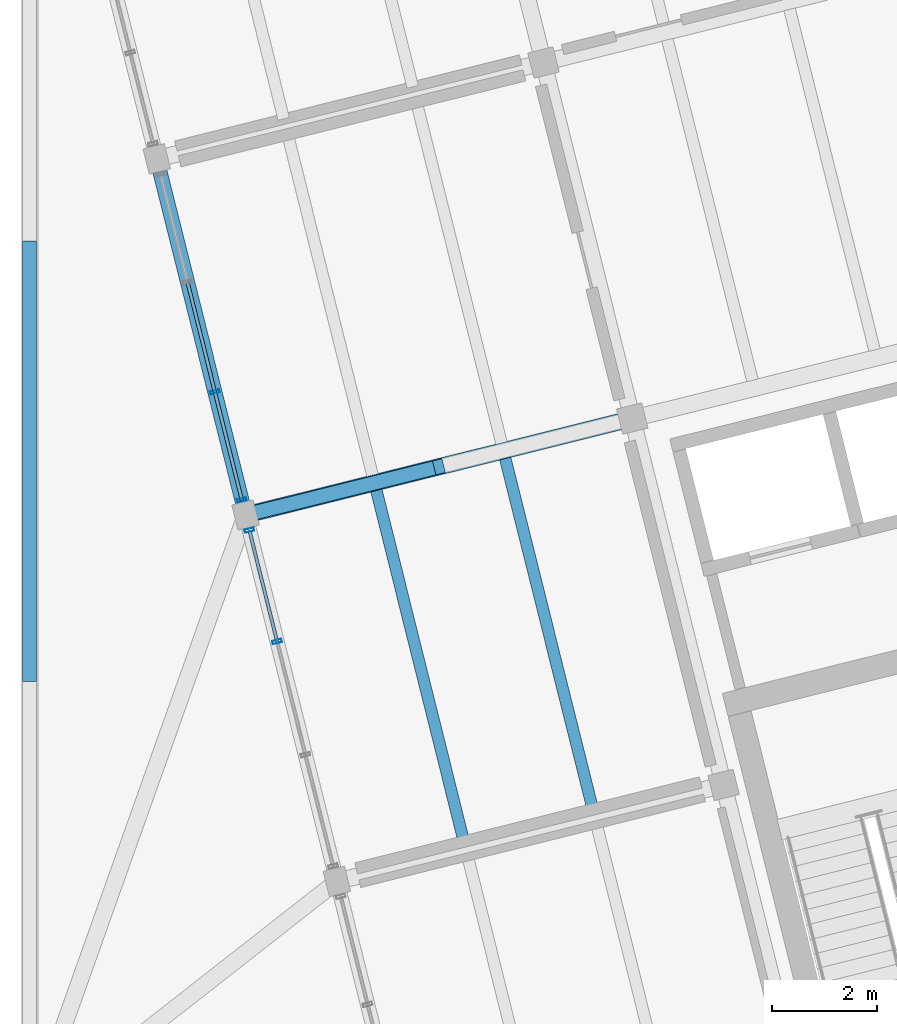
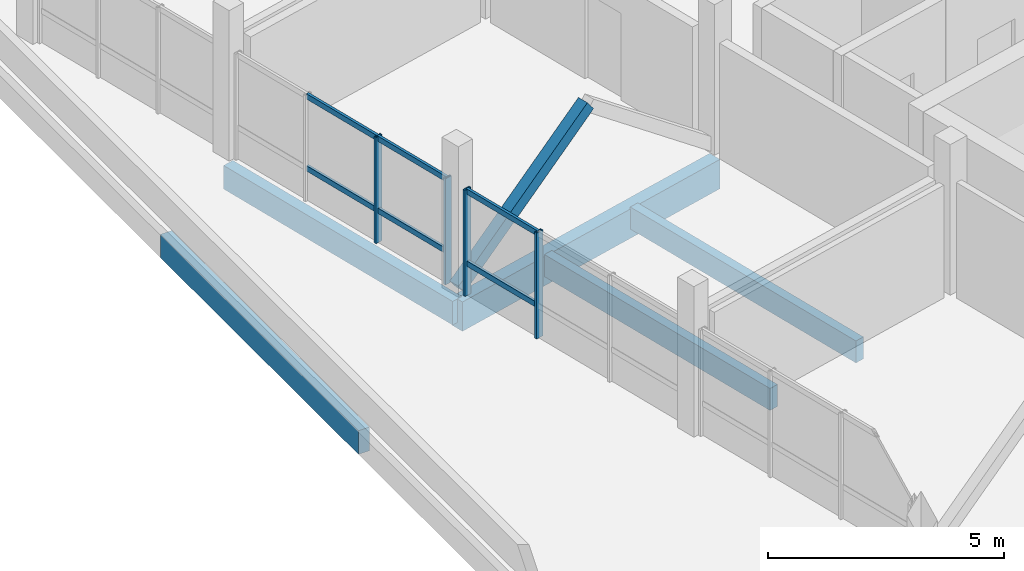
# One storey, part 8 of 37: 11 members, 5 beams, 2 elements without a shape of their own.
"""IFC4 building model written with IfcOpenShell, lengths in metres."""

from ifc_helpers import new_model, si_unit, direction, frame, origin, origin_2d, place, context, subcontext, project, spatial, rectangle, hollow_rectangle, extrude, material, layer, layer_set, material_profile, profile_set, type_object, element, aggregate, save


model = new_model("IFC4")

# Units and contexts
model_context = context("Model", 3, precision=1e-05, world=origin(), true_north=direction((0.0, 1.0)))
body_context = subcontext(model_context, "Body", "Model", "MODEL_VIEW")
ifc_project = project(units=[si_unit("LENGTHUNIT", "METRE"), si_unit("AREAUNIT", "SQUARE_METRE"), si_unit("VOLUMEUNIT", "CUBIC_METRE"), si_unit("PLANEANGLEUNIT", "RADIAN"), si_unit("MASSUNIT", "GRAM", prefix="KILO")], contexts=[model_context])

# Site, building, storey
site_placement = place(None, origin())
site = spatial("IfcSite", under=ifc_project, at=site_placement, CompositionType="ELEMENT")
building_placement = place(site_placement, origin())
building = spatial("IfcBuilding", under=site, at=building_placement, Name="Meriwether Solvik Hall", CompositionType="ELEMENT")
storey_placement = place(building_placement, frame((0.0, 0.0, 26.10009765625)))
storey = spatial("IfcBuildingStorey", under=building, at=storey_placement, Name="L06", CompositionType="ELEMENT", Elevation=26.10009765625)

# Beams
ifc_material_1 = material(Name="Glulam Douglas-Fir 24F-V8 GL28h", Category="wood")
ifc_material_profile_1 = material_profile(ifc_material_1, rectangle(XDim=0.27294921875, YDim=0.610107421875, at=origin_2d()), Name="GLB-273X610")
ifc_profile_set_1 = profile_set([ifc_material_profile_1], Name="Glulam Douglas-Fir 24F-V8 GL28h")
beam_type_1 = type_object("IfcBeamType", Name="BM-GL-273X610", PredefinedType="SPANDREL", material=ifc_profile_set_1)
beam_1_placement = place(storey_placement, frame((59.39990234375, 58.39990234375, -0.5751953125), z_axis=(0.0, 1.0, 0.0), x_axis=(-1.0, 0.0, 0.0)))
element("IfcBeam", 1, at=beam_1_placement, inside=storey, type_object=beam_type_1, Name="Podium Girder 7:G-H (L06)", PredefinedType="SPANDREL", context=body_context, shape_type="SweptSolid", body=[
    extrude(rectangle(XDim=0.27294921875, YDim=0.610107421875, at=origin_2d()), origin(), (0.0, 0.0, 1.0), 8.400146484375),
])
beam_2_placement = place(storey_placement, frame((63.51953125, 61.576171875, -0.5751953125), z_axis=(-0.241911879182, 0.970298223594, 0.0), x_axis=(-0.970298223594, -0.241911879182, 0.0)))
element("IfcBeam", 2, at=beam_2_placement, inside=storey, type_object=beam_type_1, Name="Tower Girder T1:TD-TE (L06)", PredefinedType="SPANDREL", context=body_context, shape_type="SweptSolid", body=[
    extrude(rectangle(XDim=0.27294921875, YDim=0.610107421875, at=origin_2d()), origin(), (0.0, 0.0, 1.0), 7.0),
])
ifc_material_2 = material(Name="Glulam Douglas-Fir 24F-V8 GL28h", Category="wood")
ifc_material_profile_2 = material_profile(ifc_material_2, rectangle(XDim=0.31494140625, YDim=0.760009765625, at=origin_2d()), Name="GLB-315X760")
ifc_profile_set_2 = profile_set([ifc_material_profile_2], Name="Glulam Douglas-Fir 24F-V8 GL28h")
beam_type_2 = type_object("IfcBeamType", Name="BM-GL-315X760", PredefinedType="BEAM", material=ifc_profile_set_2)
beam_3_placement = place(storey_placement, frame((63.51953125, 61.576171875, -0.650146484375), z_axis=(0.970295366785, 0.241923337436, 0.0), x_axis=(-0.241923337436, 0.970295366785, 0.0)))
element("IfcBeam", 3, at=beam_3_placement, inside=storey, type_object=beam_type_2, Name="Tower Girder TD:T1-T2 (L06)", PredefinedType="BEAM", context=body_context, shape_type="SweptSolid", body=[
    extrude(rectangle(XDim=0.31494140625, YDim=0.760009765625, at=origin_2d()), origin(), (0.0, 0.0, 1.0), 7.60009765625),
])

# Curtain wall, members
ifc_material_3 = material(Name="Thermally Broken Anodised Aluminium 6063-T6 and Low-E Glass", Category="aluminium")
ifc_layer_1 = layer(ifc_material_3, 0.179931640625)
ifc_layer_set_1 = layer_set([ifc_layer_1], Name="Thermally Broken Anodised Aluminium 6063-T6 and Low-E Glass")
curtain_wall_type_1 = type_object("IfcCurtainWallType", Name="CW-UNIT-D", PredefinedType="USERDEFINED", material=ifc_layer_set_1)
curtain_wall_1_placement = place(storey_placement, origin())
curtain_wall_1 = element("IfcCurtainWall", 4, at=curtain_wall_1_placement, inside=storey, type_object=curtain_wall_type_1, Name="Curtain Wall E5_B2 (L06)", ObjectType="UNITISED CURTAIN WALL", PredefinedType="USERDEFINED")
ifc_material_4 = material(Name="Anodised Aluminium 6063-T6", Category="aluminium")
ifc_material_profile_3 = material_profile(ifc_material_4, hollow_rectangle(XDim=0.06494140625, YDim=0.179931640625, WallThickness=0.00439453125, at=origin_2d()), Name="CWM-65X180")
ifc_profile_set_3 = profile_set([ifc_material_profile_3], Name="Anodised Aluminium 6063-T6")
member_type_1 = type_object("IfcMemberType", Name="CW-MUL-65X180", PredefinedType="MULLION", material=ifc_profile_set_3)
member_1_placement = place(storey_placement, frame((64.12109375, 59.16357421875, 0.0), z_axis=(0.0, 0.0, 1.0), x_axis=(-0.241921860714, 0.970295734974, 0.0)))
member_1 = element("IfcMember", 5, at=member_1_placement, type_object=member_type_1, Name="Curtain Wall Mullion 3", PredefinedType="MULLION", context=body_context, shape_type="SweptSolid", body=[
    extrude(hollow_rectangle(XDim=0.06494140625, YDim=0.179931640625, WallThickness=0.00439453125, at=origin_2d()), origin(), (0.0, 0.0, 1.0), 2.75),
])
member_2_placement = place(storey_placement, frame((63.591552734375, 61.28759765625, 0.0), z_axis=(0.0, 0.0, 1.0), x_axis=(-0.241921860714, 0.970295734974, 0.0)))
member_2 = element("IfcMember", 6, at=member_2_placement, type_object=member_type_1, Name="Curtain Wall Mullion 4", PredefinedType="MULLION", context=body_context, shape_type="SweptSolid", body=[
    extrude(hollow_rectangle(XDim=0.06494140625, YDim=0.179931640625, WallThickness=0.00439453125, at=origin_2d()), origin(), (0.0, 0.0, 1.0), 2.75),
])

ifc_material_5 = material(Name="Thermally Broken Anodised Aluminium 6063-T6 and Low-E Glass", Category="aluminium")
ifc_layer_2 = layer(ifc_material_5, 0.179931640625)
ifc_layer_set_2 = layer_set([ifc_layer_2], Name="Thermally Broken Anodised Aluminium 6063-T6 and Low-E Glass")
curtain_wall_type_2 = type_object("IfcCurtainWallType", Name="CW-UNIT-E", PredefinedType="USERDEFINED", material=ifc_layer_set_2)
curtain_wall_2_placement = place(storey_placement, origin())
curtain_wall_2 = element("IfcCurtainWall", 7, at=curtain_wall_2_placement, inside=storey, type_object=curtain_wall_type_2, Name="Curtain Wall E5_B3 (L06)", ObjectType="UNITISED CURTAIN WALL", PredefinedType="USERDEFINED")
member_3_placement = place(storey_placement, frame((63.44775390625, 61.864990234375, 0.0), z_axis=(0.0, 0.0, 1.0), x_axis=(-0.241921764185, 0.970295759041, 0.0)))
member_3 = element("IfcMember", 8, at=member_3_placement, type_object=member_type_1, Name="Curtain Wall Mullion 1", PredefinedType="MULLION", context=body_context, shape_type="SweptSolid", body=[
    extrude(hollow_rectangle(XDim=0.06494140625, YDim=0.179931640625, WallThickness=0.00439453125, at=origin_2d()), origin(), (0.0, 0.0, 1.0), 2.75),
])
member_4_placement = place(storey_placement, frame((62.934326171875, 63.924072265625, 0.0), z_axis=(0.0, 0.0, 1.0), x_axis=(-0.241921764185, 0.970295759041, 0.0)))
member_4 = element("IfcMember", 9, at=member_4_placement, type_object=member_type_1, Name="Curtain Wall Mullion 2", PredefinedType="MULLION", context=body_context, shape_type="SweptSolid", body=[
    extrude(hollow_rectangle(XDim=0.06494140625, YDim=0.179931640625, WallThickness=0.00439453125, at=origin_2d()), origin(), (0.0, 0.0, 1.0), 2.75),
])

# Member
ifc_material_6 = material(Name="Anodised Aluminium 6063-T6", Category="aluminium")
ifc_material_profile_4 = material_profile(ifc_material_6, hollow_rectangle(XDim=0.06494140625, YDim=0.139892578125, WallThickness=0.00439453125, at=origin_2d()), Name="CWT-65X140")
ifc_profile_set_4 = profile_set([ifc_material_profile_4], Name="Anodised Aluminium 6063-T6")
member_type_2 = type_object("IfcMemberType", Name="CW-TRN-65X140", PredefinedType="USERDEFINED", material=ifc_profile_set_4)
member_5_placement = place(storey_placement, frame((64.12109375, 59.16357421875, 0.824951171875), z_axis=(-0.241905764761, 0.970299748003, 0.0), x_axis=(-0.970299748003, -0.241905764761, 0.0)))
member_5 = element("IfcMember", 10, at=member_5_placement, type_object=member_type_2, Name="Curtain Wall Transom 3-sill", ObjectType="TRANSOM", PredefinedType="USERDEFINED", context=body_context, shape_type="SweptSolid", body=[
    extrude(hollow_rectangle(XDim=0.06494140625, YDim=0.139892578125, WallThickness=0.00439453125, at=origin_2d()), origin(), (0.0, 0.0, 1.0), 2.18896484375),
])

member_6_placement = place(storey_placement, frame((64.12109375, 59.16357421875, 2.68994140625), z_axis=(-0.241905764761, 0.970299748003, 0.0), x_axis=(-0.970299748003, -0.241905764761, 0.0)))
member_6 = element("IfcMember", 11, at=member_6_placement, type_object=member_type_2, Name="Curtain Wall Transom 3-head", ObjectType="TRANSOM", PredefinedType="USERDEFINED", context=body_context, shape_type="SweptSolid", body=[
    extrude(hollow_rectangle(XDim=0.06494140625, YDim=0.139892578125, WallThickness=0.00439453125, at=origin_2d()), origin(), (0.0, 0.0, 1.0), 2.18896484375),
])

aggregate(curtain_wall_1, [member_1, member_2, member_5, member_6])

member_7_placement = place(storey_placement, frame((63.44775390625, 61.864990234375, 0.824951171875), z_axis=(-0.241940051257, 0.970291199382, 0.0), x_axis=(-0.970291199382, -0.241940051257, 0.0)))
member_7 = element("IfcMember", 12, at=member_7_placement, type_object=member_type_2, Name="Curtain Wall Transom 1-sill", ObjectType="TRANSOM", PredefinedType="USERDEFINED", context=body_context, shape_type="SweptSolid", body=[
    extrude(hollow_rectangle(XDim=0.06494140625, YDim=0.139892578125, WallThickness=0.00439453125, at=origin_2d()), origin(), (0.0, 0.0, 1.0), 2.1220703125),
])

member_8_placement = place(storey_placement, frame((63.44775390625, 61.864990234375, 2.68994140625), z_axis=(-0.241940051257, 0.970291199382, 0.0), x_axis=(-0.970291199382, -0.241940051257, 0.0)))
member_8 = element("IfcMember", 13, at=member_8_placement, type_object=member_type_2, Name="Curtain Wall Transom 1-head", ObjectType="TRANSOM", PredefinedType="USERDEFINED", context=body_context, shape_type="SweptSolid", body=[
    extrude(hollow_rectangle(XDim=0.06494140625, YDim=0.139892578125, WallThickness=0.00439453125, at=origin_2d()), origin(), (0.0, 0.0, 1.0), 2.1220703125),
])

member_9_placement = place(storey_placement, frame((62.934326171875, 63.924072265625, 0.824951171875), z_axis=(-0.241950597221, 0.970288569707, 0.0), x_axis=(-0.970288569707, -0.241950597221, 0.0)))
member_9 = element("IfcMember", 14, at=member_9_placement, type_object=member_type_2, Name="Curtain Wall Transom 2-sill", ObjectType="TRANSOM", PredefinedType="USERDEFINED", context=body_context, shape_type="SweptSolid", body=[
    extrude(hollow_rectangle(XDim=0.06494140625, YDim=0.139892578125, WallThickness=0.00439453125, at=origin_2d()), origin(), (0.0, 0.0, 1.0), 2.160400390625),
])

member_10_placement = place(storey_placement, frame((62.934326171875, 63.924072265625, 2.68994140625), z_axis=(-0.241950597221, 0.970288569707, 0.0), x_axis=(-0.970288569707, -0.241950597221, 0.0)))
member_10 = element("IfcMember", 15, at=member_10_placement, type_object=member_type_2, Name="Curtain Wall Transom 2-head", ObjectType="TRANSOM", PredefinedType="USERDEFINED", context=body_context, shape_type="SweptSolid", body=[
    extrude(hollow_rectangle(XDim=0.06494140625, YDim=0.139892578125, WallThickness=0.00439453125, at=origin_2d()), origin(), (0.0, 0.0, 1.0), 2.160400390625),
])

aggregate(curtain_wall_2, [member_3, member_4, member_7, member_8, member_9, member_10])

# Beams
ifc_material_7 = material(Name="Glulam Douglas-Fir 24F-V8 GL28h", Category="wood")
ifc_material_profile_5 = material_profile(ifc_material_7, rectangle(XDim=0.221923828125, YDim=0.570068359375, at=origin_2d()), Name="GLJ-222X570")
ifc_profile_set_5 = profile_set([ifc_material_profile_5], Name="Glulam Douglas-Fir 24F-V8 GL28h")
beam_type_3 = type_object("IfcBeamType", Name="JST-GL-222X570", PredefinedType="JOIST", material=ifc_profile_set_5)
for number, where, z_axis, x_axis, name in (
    (16, (67.6826171875, 55.350830078125, -0.505126953125), (-0.241910719241, 0.970298512787, 0.0), (-0.970298512787, -0.241910719241, 0.0), "Glulam Floor Joist T1/TC-J1 (L06)"),
    (17, (70.140869140625, 55.9638671875, -0.505126953125), (-0.241944055158, 0.970290201009, 0.0), (-0.970290201009, -0.241944055158, 0.0), "Glulam Floor Joist T1/TC-J2 (L06)"),
):
    element("IfcBeam", number, at=place(storey_placement, frame(where, z_axis=z_axis, x_axis=x_axis)), inside=storey, type_object=beam_type_3, Name=name, PredefinedType="JOIST", context=body_context, shape_type="SweptSolid", body=[
        extrude(rectangle(XDim=0.221923828125, YDim=0.570068359375, at=origin_2d()), origin(), (0.0, 0.0, 1.0), 6.89501953125),
    ])

# Member
ifc_material_8 = material(Name="Glulam Douglas-Fir 24F-V8 GL28h", Category="wood")
ifc_material_profile_6 = material_profile(ifc_material_8, rectangle(XDim=0.27294921875, YDim=0.304931640625, at=origin_2d()), Name="GLM-273X305")
ifc_profile_set_6 = profile_set([ifc_material_profile_6], Name="Glulam Douglas-Fir 24F-V8 GL28h")
member_type_3 = type_object("IfcMemberType", Name="MEM-BR-GL273", PredefinedType="BRACE", material=ifc_profile_set_6)
member_11_placement = place(storey_placement, frame((63.51953125, 61.576171875, 0.0498046875), z_axis=(0.770350933711, 0.192090420205, 0.607997293905), x_axis=(-0.241946039438, 0.970289706222, 0.0)))
element("IfcMember", 18, at=member_11_placement, inside=storey, type_object=member_type_3, Name="Tower Chevron Brace L06-B2A", PredefinedType="BRACE", context=body_context, shape_type="SweptSolid", body=[
    extrude(rectangle(XDim=0.27294921875, YDim=0.304931640625, at=origin_2d()), origin(), (0.0, 0.0, 1.0), 4.786376953125),
])

save(model, "model.ifc")
